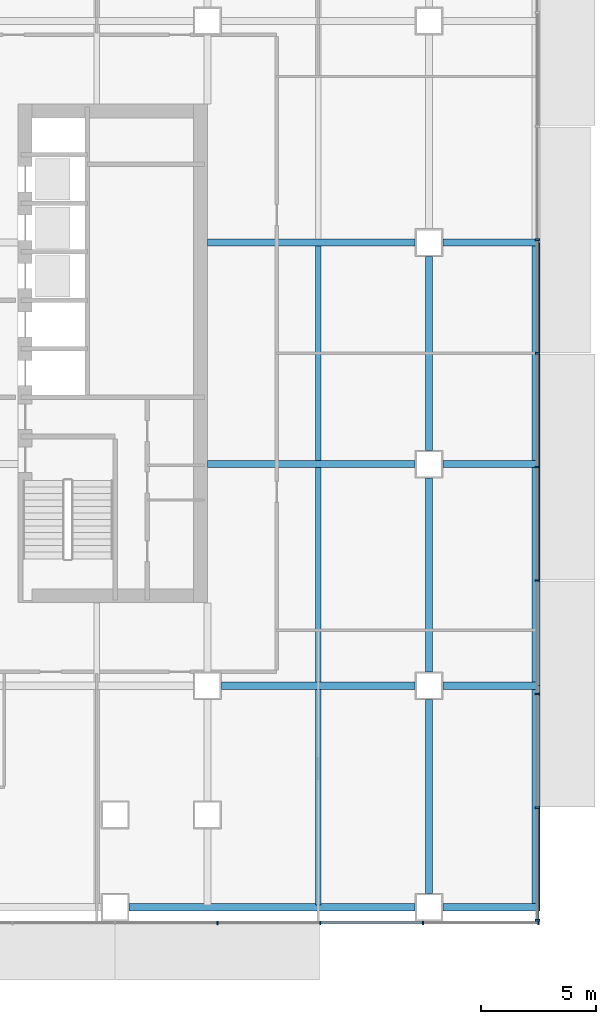
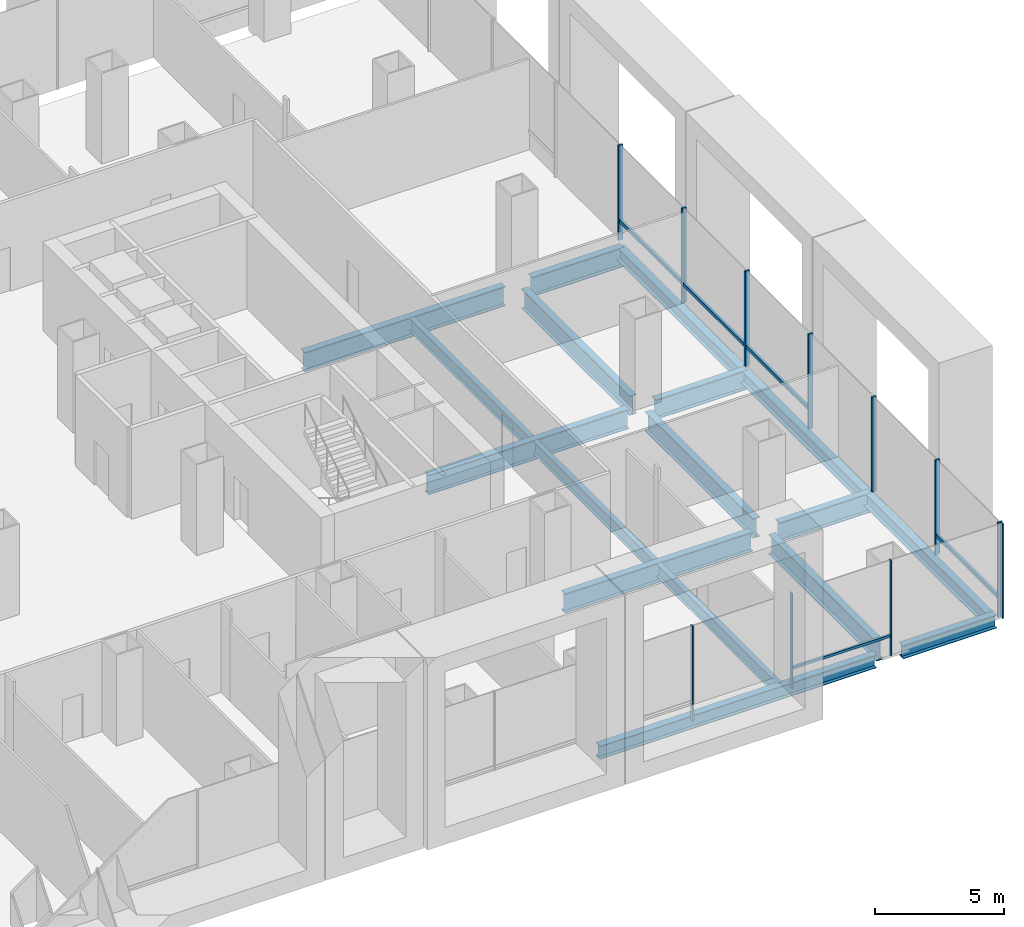
# One storey, part 10 of 23: 17 beams, 16 members, 2 elements without a shape of their own.
"""IFC4 building model written with IfcOpenShell, lengths in metres."""

from ifc_helpers import new_model, si_unit, direction, frame, origin, origin_2d, place, context, subcontext, project, spatial, rectangle, i_section, extrude, material, material_profile, profile_set, type_object, element, aggregate, save


model = new_model("IFC4")

# Units and contexts
model_context = context("Model", 3, precision=1e-05, world=origin(), true_north=direction((0.0, 1.0)))
body_context = subcontext(model_context, "Body", "Model", "MODEL_VIEW")
ifc_project = project(units=[si_unit("LENGTHUNIT", "METRE"), si_unit("AREAUNIT", "SQUARE_METRE"), si_unit("VOLUMEUNIT", "CUBIC_METRE"), si_unit("PLANEANGLEUNIT", "RADIAN"), si_unit("MASSUNIT", "GRAM", prefix="KILO")], contexts=[model_context])

# Site, building, storey
site_placement = place(None, origin())
site = spatial("IfcSite", under=ifc_project, at=site_placement, CompositionType="ELEMENT")
building_placement = place(site_placement, origin())
building = spatial("IfcBuilding", under=site, at=building_placement, Name="Cobrizo Arcos Hotel Tower", CompositionType="ELEMENT")
storey_placement = place(building_placement, frame((0.0, 0.0, 24.5)))
storey = spatial("IfcBuildingStorey", under=building, at=storey_placement, Name="L04", CompositionType="ELEMENT", Elevation=24.5)

# Curtain wall, members
ifc_material_1 = material(Name="Aluminium 6063-T6 anodised bronze", Category="aluminium")
curtain_wall_type_1 = type_object("IfcCurtainWallType", Name="CW-A guest facade", PredefinedType="NOTDEFINED", material=ifc_material_1)
curtain_wall_1_placement = place(storey_placement, origin())
curtain_wall_1 = element("IfcCurtainWall", 1, at=curtain_wall_1_placement, inside=storey, type_object=curtain_wall_type_1, Name="CW-A L04 S face", PredefinedType="NOTDEFINED")
ifc_material_profile_1 = material_profile(ifc_material_1, rectangle(XDim=0.14990234375, YDim=0.06005859375, at=origin_2d()), Name="CW-A mullion 150x60")
ifc_profile_set_1 = profile_set([ifc_material_profile_1], Name="Aluminium 6063-T6 anodised bronze")
member_type_1 = type_object("IfcMemberType", Name="CW-A mullion 150x60", PredefinedType="MULLION", material=ifc_profile_set_1)
member_1_placement = place(storey_placement, frame((24.4443359375, -24.675048828125, 0.0), z_axis=(0.0, 0.0, 1.0), x_axis=(0.0, -1.0, 0.0)))
member_1 = element("IfcMember", 2, at=member_1_placement, type_object=member_type_1, Name="CW-A mullion 15", PredefinedType="MULLION", context=body_context, shape_type="SweptSolid", body=[
    extrude(rectangle(XDim=0.14990234375, YDim=0.06005859375, at=origin_2d()), origin(), (0.0, 0.0, 1.0), 4.5),
])
member_2_placement = place(storey_placement, frame((28.888916015625, -24.675048828125, 0.0), z_axis=(0.0, 0.0, 1.0), x_axis=(0.0, -1.0, 0.0)))
member_2 = element("IfcMember", 3, at=member_2_placement, type_object=member_type_1, Name="CW-A mullion 16", PredefinedType="MULLION", context=body_context, shape_type="SweptSolid", body=[
    extrude(rectangle(XDim=0.14990234375, YDim=0.06005859375, at=origin_2d()), origin(), (0.0, 0.0, 1.0), 4.5),
])
member_3_placement = place(storey_placement, frame((33.333251953125, -24.675048828125, 0.0), z_axis=(0.0, 0.0, 1.0), x_axis=(0.0, -1.0, 0.0)))
member_3 = element("IfcMember", 4, at=member_3_placement, type_object=member_type_1, Name="CW-A mullion 17", PredefinedType="MULLION", context=body_context, shape_type="SweptSolid", body=[
    extrude(rectangle(XDim=0.14990234375, YDim=0.06005859375, at=origin_2d()), origin(), (0.0, 0.0, 1.0), 4.5),
])
member_4_placement = place(storey_placement, frame((38.344970703125, -24.675048828125, 0.0), z_axis=(0.0, 0.0, 1.0), x_axis=(0.0, -1.0, 0.0)))
member_4 = element("IfcMember", 5, at=member_4_placement, type_object=member_type_1, Name="CW-A mullion 18", PredefinedType="MULLION", context=body_context, shape_type="SweptSolid", body=[
    extrude(rectangle(XDim=0.14990234375, YDim=0.06005859375, at=origin_2d()), origin(), (0.0, 0.0, 1.0), 4.5),
])
ifc_material_profile_2 = material_profile(ifc_material_1, rectangle(XDim=0.10009765625, YDim=0.1201171875, at=origin_2d()), Name="CW-A transom 120x100")
ifc_profile_set_2 = profile_set([ifc_material_profile_2], Name="Aluminium 6063-T6 anodised bronze")
member_type_2 = type_object("IfcMemberType", Name="CW-A transom 120x100", PredefinedType="USERDEFINED", material=ifc_profile_set_2)
member_5_placement = place(storey_placement, frame((28.9189453125, -24.675048828125, 0.929931640625), z_axis=(1.0, 0.0, 0.0), x_axis=(0.0, 1.0, 0.0)))
member_5 = element("IfcMember", 6, at=member_5_placement, type_object=member_type_2, Name="CW-A transom 267", ObjectType="TRANSOM", PredefinedType="USERDEFINED", context=body_context, shape_type="SweptSolid", body=[
    extrude(rectangle(XDim=0.10009765625, YDim=0.1201171875, at=origin_2d()), origin(), (0.0, 0.0, 1.0), 4.38427734375),
])
aggregate(curtain_wall_1, [member_1, member_2, member_3, member_4, member_5])

curtain_wall_type_2 = type_object("IfcCurtainWallType", Name="CW-B podium glazing", PredefinedType="NOTDEFINED", material=ifc_material_1)
curtain_wall_2_placement = place(storey_placement, origin())
curtain_wall_2 = element("IfcCurtainWall", 7, at=curtain_wall_2_placement, inside=storey, type_object=curtain_wall_type_2, Name="CW-B L04 E face", PredefinedType="NOTDEFINED")
ifc_material_profile_3 = material_profile(ifc_material_1, rectangle(XDim=0.199951171875, YDim=0.080078125, at=origin_2d()), Name="CW-B mullion 200x80")
ifc_profile_set_3 = profile_set([ifc_material_profile_3], Name="Aluminium 6063-T6 anodised bronze")
member_type_3 = type_object("IfcMemberType", Name="CW-B mullion 200x80", PredefinedType="MULLION", material=ifc_profile_set_3)
member_6_placement = place(storey_placement, frame((38.300048828125, -24.56005859375, 0.0), z_axis=(0.0, 0.0, 1.0), x_axis=(1.0, 0.0, 0.0)))
member_6 = element("IfcMember", 8, at=member_6_placement, type_object=member_type_3, Name="CW-B mullion 1", PredefinedType="MULLION", context=body_context, shape_type="SweptSolid", body=[
    extrude(rectangle(XDim=0.199951171875, YDim=0.080078125, at=origin_2d()), origin(), (0.0, 0.0, 1.0), 4.5),
])
member_7_placement = place(storey_placement, frame((38.300048828125, -19.679931640625, 0.0), z_axis=(0.0, 0.0, 1.0), x_axis=(1.0, 0.0, 0.0)))
member_7 = element("IfcMember", 9, at=member_7_placement, type_object=member_type_3, Name="CW-B mullion 2", PredefinedType="MULLION", context=body_context, shape_type="SweptSolid", body=[
    extrude(rectangle(XDim=0.199951171875, YDim=0.080078125, at=origin_2d()), origin(), (0.0, 0.0, 1.0), 4.5),
])
member_8_placement = place(storey_placement, frame((38.300048828125, -14.760009765625, 0.0), z_axis=(0.0, 0.0, 1.0), x_axis=(1.0, 0.0, 0.0)))
member_8 = element("IfcMember", 10, at=member_8_placement, type_object=member_type_3, Name="CW-B mullion 3", PredefinedType="MULLION", context=body_context, shape_type="SweptSolid", body=[
    extrude(rectangle(XDim=0.199951171875, YDim=0.080078125, at=origin_2d()), origin(), (0.0, 0.0, 1.0), 4.5),
])
member_9_placement = place(storey_placement, frame((38.300048828125, -9.840087890625, 0.0), z_axis=(0.0, 0.0, 1.0), x_axis=(1.0, 0.0, 0.0)))
member_9 = element("IfcMember", 11, at=member_9_placement, type_object=member_type_3, Name="CW-B mullion 4", PredefinedType="MULLION", context=body_context, shape_type="SweptSolid", body=[
    extrude(rectangle(XDim=0.199951171875, YDim=0.080078125, at=origin_2d()), origin(), (0.0, 0.0, 1.0), 4.5),
])
member_10_placement = place(storey_placement, frame((38.300048828125, -4.919921875, 0.0), z_axis=(0.0, 0.0, 1.0), x_axis=(1.0, 0.0, 0.0)))
member_10 = element("IfcMember", 12, at=member_10_placement, type_object=member_type_3, Name="CW-B mullion 5", PredefinedType="MULLION", context=body_context, shape_type="SweptSolid", body=[
    extrude(rectangle(XDim=0.199951171875, YDim=0.080078125, at=origin_2d()), origin(), (0.0, 0.0, 1.0), 4.5),
])
member_11_placement = place(storey_placement, frame((38.300048828125, 0.0, 0.0), z_axis=(0.0, 0.0, 1.0), x_axis=(1.0, 0.0, 0.0)))
member_11 = element("IfcMember", 13, at=member_11_placement, type_object=member_type_3, Name="CW-B mullion 6", PredefinedType="MULLION", context=body_context, shape_type="SweptSolid", body=[
    extrude(rectangle(XDim=0.199951171875, YDim=0.080078125, at=origin_2d()), origin(), (0.0, 0.0, 1.0), 4.5),
])
member_12_placement = place(storey_placement, frame((38.300048828125, 4.919921875, 0.0), z_axis=(0.0, 0.0, 1.0), x_axis=(1.0, 0.0, 0.0)))
member_12 = element("IfcMember", 14, at=member_12_placement, type_object=member_type_3, Name="CW-B mullion 7", PredefinedType="MULLION", context=body_context, shape_type="SweptSolid", body=[
    extrude(rectangle(XDim=0.199951171875, YDim=0.080078125, at=origin_2d()), origin(), (0.0, 0.0, 1.0), 4.5),
])
ifc_material_profile_4 = material_profile(ifc_material_1, rectangle(XDim=0.1201171875, YDim=0.159912109375, at=origin_2d()), Name="CW-B transom 160x120")
ifc_profile_set_4 = profile_set([ifc_material_profile_4], Name="Aluminium 6063-T6 anodised bronze")
member_type_4 = type_object("IfcMemberType", Name="CW-B transom 160x120", PredefinedType="USERDEFINED", material=ifc_profile_set_4)
member_13_placement = place(storey_placement, frame((38.300048828125, -24.52001953125, 0.89990234375), z_axis=(0.0, 1.0, 0.0), x_axis=(-1.0, 0.0, 0.0)))
member_13 = element("IfcMember", 15, at=member_13_placement, type_object=member_type_4, Name="CW-B transom 215", ObjectType="TRANSOM", PredefinedType="USERDEFINED", context=body_context, shape_type="SweptSolid", body=[
    extrude(rectangle(XDim=0.1201171875, YDim=0.159912109375, at=origin_2d()), origin(), (0.0, 0.0, 1.0), 4.800048828125),
])
member_14_placement = place(storey_placement, frame((38.300048828125, -9.800048828125, 0.89990234375), z_axis=(0.0, 1.0, 0.0), x_axis=(-1.0, 0.0, 0.0)))
member_14 = element("IfcMember", 16, at=member_14_placement, type_object=member_type_4, Name="CW-B transom 218", ObjectType="TRANSOM", PredefinedType="USERDEFINED", context=body_context, shape_type="SweptSolid", body=[
    extrude(rectangle(XDim=0.1201171875, YDim=0.159912109375, at=origin_2d()), origin(), (0.0, 0.0, 1.0), 4.840087890625),
])
member_15_placement = place(storey_placement, frame((38.300048828125, -4.8798828125, 0.89990234375), z_axis=(0.0, 1.0, 0.0), x_axis=(-1.0, 0.0, 0.0)))
member_15 = element("IfcMember", 17, at=member_15_placement, type_object=member_type_4, Name="CW-B transom 219", ObjectType="TRANSOM", PredefinedType="USERDEFINED", context=body_context, shape_type="SweptSolid", body=[
    extrude(rectangle(XDim=0.1201171875, YDim=0.159912109375, at=origin_2d()), origin(), (0.0, 0.0, 1.0), 4.83984375),
])
member_16_placement = place(storey_placement, frame((38.300048828125, 0.0400390625, 0.89990234375), z_axis=(0.0, 1.0, 0.0), x_axis=(-1.0, 0.0, 0.0)))
member_16 = element("IfcMember", 18, at=member_16_placement, type_object=member_type_4, Name="CW-B transom 220", ObjectType="TRANSOM", PredefinedType="USERDEFINED", context=body_context, shape_type="SweptSolid", body=[
    extrude(rectangle(XDim=0.1201171875, YDim=0.159912109375, at=origin_2d()), origin(), (0.0, 0.0, 1.0), 4.83984375),
])
aggregate(curtain_wall_2, [member_6, member_7, member_8, member_9, member_10, member_11, member_12, member_13, member_14, member_15, member_16])

# Beams
ifc_material_2 = material(Name="Steel ASTM A992 Grade 50", Category="steel")
ifc_material_profile_5 = material_profile(ifc_material_2, i_section(OverallWidth=0.32763671875, OverallDepth=0.622314453125, WebThickness=0.015380859375, FlangeThickness=0.0244140625, at=origin_2d()), Name="W24X131")
ifc_profile_set_5 = profile_set([ifc_material_profile_5], Name="Steel ASTM A992 Grade 50")
beam_type_1 = type_object("IfcBeamType", Name="W24X131 edge beam", PredefinedType="BEAM", material=ifc_profile_set_5)
beam_1_placement = place(storey_placement, frame((38.236083984375, -24.0, -0.51123046875), z_axis=(0.0, 1.0, 0.0), x_axis=(-1.0, 0.0, 0.0)))
element("IfcBeam", 19, at=beam_1_placement, inside=storey, type_object=beam_type_1, Name="Edge beam EB1, L04, no. 001", PredefinedType="BEAM", context=body_context, shape_type="SweptSolid", body=[
    extrude(i_section(OverallWidth=0.32763671875, OverallDepth=0.622314453125, WebThickness=0.015380859375, FlangeThickness=0.0244140625, at=origin_2d()), origin(), (0.0, 0.0, 1.0), 9.60009765625),
])
beam_2_placement = place(storey_placement, frame((38.236083984375, -14.39990234375, -0.51123046875), z_axis=(0.0, 1.0, 0.0), x_axis=(-1.0, 0.0, 0.0)))
element("IfcBeam", 20, at=beam_2_placement, inside=storey, type_object=beam_type_1, Name="Edge beam EB1, L04, no. 002", PredefinedType="BEAM", context=body_context, shape_type="SweptSolid", body=[
    extrude(i_section(OverallWidth=0.32763671875, OverallDepth=0.622314453125, WebThickness=0.015380859375, FlangeThickness=0.0244140625, at=origin_2d()), origin(), (0.0, 0.0, 1.0), 9.599853515625),
])
beam_3_placement = place(storey_placement, frame((38.236083984375, -4.800048828125, -0.51123046875), z_axis=(0.0, 1.0, 0.0), x_axis=(-1.0, 0.0, 0.0)))
element("IfcBeam", 21, at=beam_3_placement, inside=storey, type_object=beam_type_1, Name="Edge beam EB1, L04, no. 003", PredefinedType="BEAM", context=body_context, shape_type="SweptSolid", body=[
    extrude(i_section(OverallWidth=0.32763671875, OverallDepth=0.622314453125, WebThickness=0.015380859375, FlangeThickness=0.0244140625, at=origin_2d()), origin(), (0.0, 0.0, 1.0), 9.60009765625),
])
beam_4_placement = place(storey_placement, frame((34.199951171875, -24.0, -0.51123046875), z_axis=(1.0, 0.0, 0.0), x_axis=(0.0, 1.0, 0.0)))
element("IfcBeam", 22, at=beam_4_placement, inside=storey, type_object=beam_type_1, Name="Edge beam EB1, L04, no. 014", PredefinedType="BEAM", context=body_context, shape_type="SweptSolid", body=[
    extrude(i_section(OverallWidth=0.32763671875, OverallDepth=0.622314453125, WebThickness=0.015380859375, FlangeThickness=0.0244140625, at=origin_2d()), origin(), (0.0, 0.0, 1.0), 4.199951171875),
])
ifc_material_profile_6 = material_profile(ifc_material_2, i_section(OverallWidth=0.32763671875, OverallDepth=0.622314453125, WebThickness=0.015380859375, FlangeThickness=0.0244140625, at=origin_2d()), Name="W24X131")
ifc_profile_set_6 = profile_set([ifc_material_profile_6], Name="Steel ASTM A992 Grade 50")
beam_type_2 = type_object("IfcBeamType", Name="W24X131 spandrel", PredefinedType="SPANDREL", material=ifc_profile_set_6)
beam_5_placement = place(storey_placement, frame((20.60009765625, -24.0, -0.51123046875), z_axis=(1.0, 0.0, 0.0), x_axis=(0.0, 1.0, 0.0)))
element("IfcBeam", 23, at=beam_5_placement, inside=storey, type_object=beam_type_2, Name="Spandrel beam W24X131, L04, no. 014", PredefinedType="SPANDREL", context=body_context, shape_type="SweptSolid", body=[
    extrude(i_section(OverallWidth=0.32763671875, OverallDepth=0.622314453125, WebThickness=0.015380859375, FlangeThickness=0.0244140625, at=origin_2d()), origin(), (0.0, 0.0, 1.0), 12.39990234375),
])
ifc_material_profile_7 = material_profile(ifc_material_2, i_section(OverallWidth=0.23046875, OverallDepth=0.6171875, WebThickness=0.01318359375, FlangeThickness=0.022216796875, at=origin_2d()), Name="W24X94")
ifc_profile_set_7 = profile_set([ifc_material_profile_7], Name="Steel ASTM A992 Grade 50")
beam_type_3 = type_object("IfcBeamType", Name="W24X94 podium joist", PredefinedType="JOIST", material=ifc_profile_set_7)
beam_6_placement = place(storey_placement, frame((28.800048828125, -23.909912109375, -0.508544921875), z_axis=(0.0, 1.0, 0.0), x_axis=(-1.0, 0.0, 0.0)))
element("IfcBeam", 24, at=beam_6_placement, inside=storey, type_object=beam_type_3, Name="Podium joist PJ1, L04, no. 029", PredefinedType="JOIST", context=body_context, shape_type="SweptSolid", body=[
    extrude(i_section(OverallWidth=0.23046875, OverallDepth=0.6171875, WebThickness=0.01318359375, FlangeThickness=0.022216796875, at=origin_2d()), origin(), (0.0, 0.0, 1.0), 9.356201171875),
])
beam_7_placement = place(storey_placement, frame((28.800048828125, -14.246337890625, -0.508544921875), z_axis=(0.0, 1.0, 0.0), x_axis=(-1.0, 0.0, 0.0)))
element("IfcBeam", 25, at=beam_7_placement, inside=storey, type_object=beam_type_3, Name="Podium joist PJ1, L04, no. 030", PredefinedType="JOIST", context=body_context, shape_type="SweptSolid", body=[
    extrude(i_section(OverallWidth=0.23046875, OverallDepth=0.6171875, WebThickness=0.01318359375, FlangeThickness=0.022216796875, at=origin_2d()), origin(), (0.0, 0.0, 1.0), 9.292724609375),
])
beam_8_placement = place(storey_placement, frame((28.800048828125, -4.646240234375, -0.508544921875), z_axis=(0.0, 1.0, 0.0), x_axis=(-1.0, 0.0, 0.0)))
element("IfcBeam", 26, at=beam_8_placement, inside=storey, type_object=beam_type_3, Name="Podium joist PJ1, L04, no. 031", PredefinedType="JOIST", context=body_context, shape_type="SweptSolid", body=[
    extrude(i_section(OverallWidth=0.23046875, OverallDepth=0.6171875, WebThickness=0.01318359375, FlangeThickness=0.022216796875, at=origin_2d()), origin(), (0.0, 0.0, 1.0), 9.29248046875),
])
ifc_material_profile_8 = material_profile(ifc_material_2, i_section(OverallWidth=0.307373046875, OverallDepth=0.927001953125, WebThickness=0.01953125, FlangeThickness=0.031982421875, at=origin_2d()), Name="W36X194")
ifc_profile_set_8 = profile_set([ifc_material_profile_8], Name="Steel ASTM A992 Grade 50")
beam_type_4 = type_object("IfcBeamType", Name="W36X194 podium girder", PredefinedType="BEAM", material=ifc_profile_set_8)
beam_9_placement = place(storey_placement, frame((24.60009765625, -14.39990234375, -0.66357421875), z_axis=(1.0, 0.0, 0.0), x_axis=(0.0, 1.0, 0.0)))
element("IfcBeam", 27, at=beam_9_placement, inside=storey, type_object=beam_type_4, Name="Podium girder PG1, L04, no. 008", PredefinedType="BEAM", context=body_context, shape_type="SweptSolid", body=[
    extrude(i_section(OverallWidth=0.307373046875, OverallDepth=0.927001953125, WebThickness=0.01953125, FlangeThickness=0.031982421875, at=origin_2d()), origin(), (0.0, 0.0, 1.0), 8.39990234375),
])
beam_10_placement = place(storey_placement, frame((34.199951171875, -14.39990234375, -0.66357421875), z_axis=(1.0, 0.0, 0.0), x_axis=(0.0, 1.0, 0.0)))
element("IfcBeam", 28, at=beam_10_placement, inside=storey, type_object=beam_type_4, Name="Podium girder PG1, L04, no. 009", PredefinedType="BEAM", context=body_context, shape_type="SweptSolid", body=[
    extrude(i_section(OverallWidth=0.307373046875, OverallDepth=0.927001953125, WebThickness=0.01953125, FlangeThickness=0.031982421875, at=origin_2d()), origin(), (0.0, 0.0, 1.0), 4.110107421875),
])
beam_11_placement = place(storey_placement, frame((24.010009765625, -4.800048828125, -0.66357421875), z_axis=(1.0, 0.0, 0.0), x_axis=(0.0, 1.0, 0.0)))
element("IfcBeam", 29, at=beam_11_placement, inside=storey, type_object=beam_type_4, Name="Podium girder PG1, L04, no. 016", PredefinedType="BEAM", context=body_context, shape_type="SweptSolid", body=[
    extrude(i_section(OverallWidth=0.307373046875, OverallDepth=0.927001953125, WebThickness=0.01953125, FlangeThickness=0.031982421875, at=origin_2d()), origin(), (0.0, 0.0, 1.0), 8.989990234375),
])
beam_12_placement = place(storey_placement, frame((34.199951171875, -4.800048828125, -0.66357421875), z_axis=(1.0, 0.0, 0.0), x_axis=(0.0, 1.0, 0.0)))
element("IfcBeam", 30, at=beam_12_placement, inside=storey, type_object=beam_type_4, Name="Podium girder PG1, L04, no. 017", PredefinedType="BEAM", context=body_context, shape_type="SweptSolid", body=[
    extrude(i_section(OverallWidth=0.307373046875, OverallDepth=0.927001953125, WebThickness=0.01953125, FlangeThickness=0.031982421875, at=origin_2d()), origin(), (0.0, 0.0, 1.0), 4.110107421875),
])
beam_13_placement = place(storey_placement, frame((24.010009765625, 4.800048828125, -0.66357421875), z_axis=(1.0, 0.0, 0.0), x_axis=(0.0, 1.0, 0.0)))
element("IfcBeam", 31, at=beam_13_placement, inside=storey, type_object=beam_type_4, Name="Podium girder PG1, L04, no. 024", PredefinedType="BEAM", context=body_context, shape_type="SweptSolid", body=[
    extrude(i_section(OverallWidth=0.307373046875, OverallDepth=0.927001953125, WebThickness=0.01953125, FlangeThickness=0.031982421875, at=origin_2d()), origin(), (0.0, 0.0, 1.0), 8.989990234375),
])
beam_14_placement = place(storey_placement, frame((34.199951171875, 4.800048828125, -0.66357421875), z_axis=(1.0, 0.0, 0.0), x_axis=(0.0, 1.0, 0.0)))
element("IfcBeam", 32, at=beam_14_placement, inside=storey, type_object=beam_type_4, Name="Podium girder PG1, L04, no. 025", PredefinedType="BEAM", context=body_context, shape_type="SweptSolid", body=[
    extrude(i_section(OverallWidth=0.307373046875, OverallDepth=0.927001953125, WebThickness=0.01953125, FlangeThickness=0.031982421875, at=origin_2d()), origin(), (0.0, 0.0, 1.0), 4.110107421875),
])
beam_15_placement = place(storey_placement, frame((33.60009765625, -23.39990234375, -0.66357421875), z_axis=(0.0, 1.0, 0.0), x_axis=(-1.0, 0.0, 0.0)))
element("IfcBeam", 33, at=beam_15_placement, inside=storey, type_object=beam_type_4, Name="Podium girder PG1, L04, no. 072", PredefinedType="BEAM", context=body_context, shape_type="SweptSolid", body=[
    extrude(i_section(OverallWidth=0.307373046875, OverallDepth=0.927001953125, WebThickness=0.01953125, FlangeThickness=0.031982421875, at=origin_2d()), origin(), (0.0, 0.0, 1.0), 8.39990234375),
])
beam_16_placement = place(storey_placement, frame((33.60009765625, -13.800048828125, -0.66357421875), z_axis=(0.0, 1.0, 0.0), x_axis=(-1.0, 0.0, 0.0)))
element("IfcBeam", 34, at=beam_16_placement, inside=storey, type_object=beam_type_4, Name="Podium girder PG1, L04, no. 073", PredefinedType="BEAM", context=body_context, shape_type="SweptSolid", body=[
    extrude(i_section(OverallWidth=0.307373046875, OverallDepth=0.927001953125, WebThickness=0.01953125, FlangeThickness=0.031982421875, at=origin_2d()), origin(), (0.0, 0.0, 1.0), 8.400146484375),
])
beam_17_placement = place(storey_placement, frame((33.60009765625, -4.199951171875, -0.66357421875), z_axis=(0.0, 1.0, 0.0), x_axis=(-1.0, 0.0, 0.0)))
element("IfcBeam", 35, at=beam_17_placement, inside=storey, type_object=beam_type_4, Name="Podium girder PG1, L04, no. 074", PredefinedType="BEAM", context=body_context, shape_type="SweptSolid", body=[
    extrude(i_section(OverallWidth=0.307373046875, OverallDepth=0.927001953125, WebThickness=0.01953125, FlangeThickness=0.031982421875, at=origin_2d()), origin(), (0.0, 0.0, 1.0), 8.39990234375),
])

save(model, "model.ifc")
